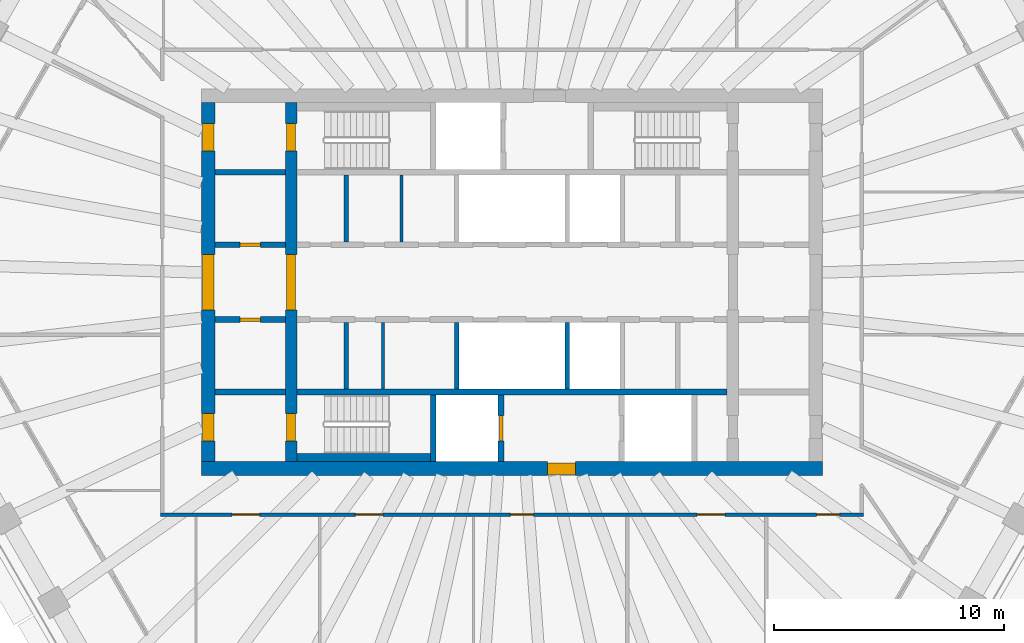
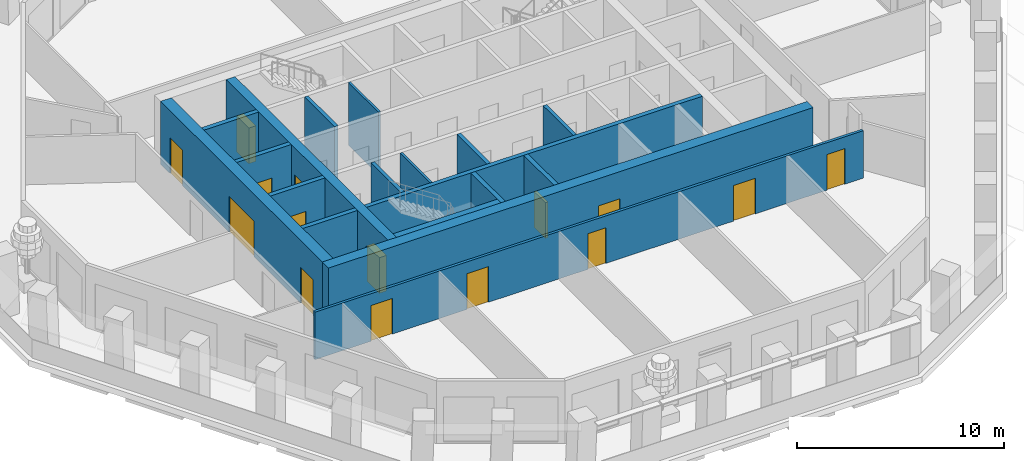
# One storey, part 4 of 12: 18 walls, 15 doors, 15 openings.
"""IFC4 building model written with IfcOpenShell, lengths in metres."""

from ifc_helpers import new_model, si_unit, direction, frame, frame_2d, origin, place, context, subcontext, project, spatial, rectangle, extrude, material, layer, layer_set, type_object, element, fill, save


model = new_model("IFC4")

# Units and contexts
model_context = context("Model", 3, precision=1e-05, world=origin(), true_north=direction((0.0, 1.0)))
body_context = subcontext(model_context, "Body", "Model", "MODEL_VIEW")
ifc_project = project(units=[si_unit("LENGTHUNIT", "METRE"), si_unit("AREAUNIT", "SQUARE_METRE"), si_unit("VOLUMEUNIT", "CUBIC_METRE"), si_unit("PLANEANGLEUNIT", "RADIAN"), si_unit("MASSUNIT", "GRAM", prefix="KILO")], contexts=[model_context])

# Site, building, storey
site_placement = place(None, origin())
site = spatial("IfcSite", under=ifc_project, at=site_placement, CompositionType="ELEMENT")
building_placement = place(site_placement, origin())
building = spatial("IfcBuilding", under=site, at=building_placement, Name="Frailejon Research Tower", CompositionType="ELEMENT")
storey_placement = place(building_placement, frame((0.0, 0.0, 237.39990234375)))
storey = spatial("IfcBuildingStorey", under=building, at=storey_placement, Name="L51", CompositionType="ELEMENT", Elevation=237.39990234375)

# Walls
ifc_material_1 = material(Name="Plasterboard on steel studs", Category="steel")
ifc_layer_1 = layer(ifc_material_1, 0.125)
ifc_layer_set_1 = layer_set([ifc_layer_1], Name="Core partition 125")
wall_type_1 = type_object("IfcWallType", Name="Core partition 125", PredefinedType="PARTITIONING", material=ifc_layer_set_1)
for number, where, z_axis, x_axis, name in (
    (1, (-4.800048828125, 1.75, 0.0), (0.0, 0.0, 1.0), (0.0, 1.0, 0.0), "Core partition"),
    (2, (-5.60009765625, -4.64990234375, 0.0), (0.0, 0.0, 1.0), (0.0, 1.0, 0.0), "Core partition"),
):
    element("IfcWall", number, at=place(storey_placement, frame(where, z_axis=z_axis, x_axis=x_axis)), inside=storey, type_object=wall_type_1, Name=name, PredefinedType="PARTITIONING", context=body_context, shape_type="SweptSolid", body=[
        extrude(rectangle(XDim=2.89990234375, YDim=0.125, at=frame_2d((1.449951171875, 0.0))), origin(), (0.0, 0.0, 1.0), 3.7001953125),
    ])

# Wall, openings, doors
ifc_material_2 = material(Name="Concrete C60/75", Category="concrete")
ifc_layer_2 = layer(ifc_material_2, 0.5)
ifc_layer_set_2 = layer_set([ifc_layer_2], Name="Core shear wall 500 C60/75")
wall_type_2 = type_object("IfcWallType", Name="Core shear wall 500 C60/75", PredefinedType="SHEAR", material=ifc_layer_set_2)
wall_1_placement = place(storey_placement, frame((-9.60009765625, -7.800048828125, 0.0), z_axis=(0.0, 0.0, 1.0), x_axis=(0.0, 1.0, 0.0)))
wall_1 = element("IfcWall", 3, at=wall_1_placement, inside=storey, type_object=wall_type_2, Name="Core shear wall", PredefinedType="SHEAR", context=body_context, shape_type="SweptSolid", body=[
    extrude(rectangle(XDim=15.60009765625, YDim=0.5, at=frame_2d((7.800048828125, 0.0))), origin(), (0.0, 0.0, 1.0), 3.7001953125),
])
opening_1_placement = place(wall_1_placement, frame((6.60009765625, 0.0, 0.0)))
opening_1 = element("IfcOpeningElement", 4, at=opening_1_placement, cuts=wall_1, Name="Opening D2", PredefinedType="OPENING", context=body_context, shape_type="SweptSolid", body=[
    extrude(rectangle(XDim=2.39990234375, YDim=2.10009765625, at=frame_2d((1.199951171875, 1.050048828125))), frame((0.0, 0.260009765625, 0.0), z_axis=(0.0, -1.0, 0.0), x_axis=(1.0, 0.0, 0.0)), (0.0, 0.0, 1.0), 0.52001953125),
])
opening_2_placement = place(wall_1_placement, frame((13.5, 0.0, 0.0)))
opening_2 = element("IfcOpeningElement", 5, at=opening_2_placement, cuts=wall_1, Name="Opening D1", PredefinedType="OPENING", context=body_context, shape_type="SweptSolid", body=[
    extrude(rectangle(XDim=1.199951171875, YDim=2.10009765625, at=frame_2d((0.60009765625, 1.050048828125))), frame((0.0, 0.260009765625, 0.0), z_axis=(0.0, -1.0, 0.0), x_axis=(1.0, 0.0, 0.0)), (0.0, 0.0, 1.0), 0.52001953125),
])
opening_3_placement = place(wall_1_placement, frame((0.89990234375, 0.0, 0.0)))
opening_3 = element("IfcOpeningElement", 6, at=opening_3_placement, cuts=wall_1, Name="Opening D1", PredefinedType="OPENING", context=body_context, shape_type="SweptSolid", body=[
    extrude(rectangle(XDim=1.199951171875, YDim=2.10009765625, at=frame_2d((0.60009765625, 1.050048828125))), frame((0.0, 0.260009765625, 0.0), z_axis=(0.0, -1.0, 0.0), x_axis=(1.0, 0.0, 0.0)), (0.0, 0.0, 1.0), 0.52001953125),
])
ifc_material_3 = material(Name="Steel", Category="steel")
door_type_1 = type_object("IfcDoorType", Name="Lobby double door", OperationType="DOUBLE_DOOR_SINGLE_SWING", PredefinedType="DOOR", material=ifc_material_3)
door_1_placement = place(opening_1_placement, origin())
door_1 = element("IfcDoor", 7, at=door_1_placement, inside=storey, type_object=door_type_1, Name="Lobby door", OperationType="DOUBLE_DOOR_SINGLE_SWING", OverallHeight=2.10009765625, OverallWidth=2.39990234375, PredefinedType="DOOR", context=body_context, shape_type="SweptSolid", body=[
    extrude(rectangle(XDim=2.39990234375, YDim=2.10009765625, at=frame_2d((1.199951171875, 1.050048828125))), frame((0.0, 0.199951171875, 0.0), z_axis=(0.0, -1.0, 0.0), x_axis=(1.0, 0.0, 0.0)), (0.0, 0.0, 1.0), 0.39990234375),
])
fill(opening_1, door_1)
ifc_material_4 = material(Name="Steel", Category="steel")
door_type_2 = type_object("IfcDoorType", Name="Stair door", OperationType="SINGLE_SWING_LEFT", PredefinedType="DOOR", material=ifc_material_4)
door_2_placement = place(opening_2_placement, origin())
door_2 = element("IfcDoor", 8, at=door_2_placement, inside=storey, type_object=door_type_2, Name="Stair door ST1", OperationType="SINGLE_SWING_RIGHT", OverallHeight=2.10009765625, OverallWidth=1.199951171875, PredefinedType="DOOR", context=body_context, shape_type="SweptSolid", body=[
    extrude(rectangle(XDim=1.199951171875, YDim=2.10009765625, at=frame_2d((0.60009765625, 1.050048828125))), frame((0.0, 0.199951171875, 0.0), z_axis=(0.0, -1.0, 0.0), x_axis=(1.0, 0.0, 0.0)), (0.0, 0.0, 1.0), 0.39990234375),
])
fill(opening_2, door_2)
door_3_placement = place(opening_3_placement, origin())
door_3 = element("IfcDoor", 9, at=door_3_placement, inside=storey, type_object=door_type_2, Name="Stair door ST2", OperationType="SINGLE_SWING_RIGHT", OverallHeight=2.10009765625, OverallWidth=1.199951171875, PredefinedType="DOOR", context=body_context, shape_type="SweptSolid", body=[
    extrude(rectangle(XDim=1.199951171875, YDim=2.10009765625, at=frame_2d((0.60009765625, 1.050048828125))), frame((0.0, 0.199951171875, 0.0), z_axis=(0.0, -1.0, 0.0), x_axis=(1.0, 0.0, 0.0)), (0.0, 0.0, 1.0), 0.39990234375),
])
fill(opening_3, door_3)

# Wall, opening, door
ifc_material_5 = material(Name="Concrete C60/75", Category="concrete")
ifc_layer_3 = layer(ifc_material_5, 0.60009765625)
ifc_layer_set_3 = layer_set([ifc_layer_3], Name="Core shear wall 600 C60/75")
wall_type_3 = type_object("IfcWallType", Name="Core shear wall 600 C60/75", PredefinedType="SHEAR", material=ifc_layer_set_3)
wall_2_placement = place(storey_placement, frame((-13.5, -8.10009765625, 0.0), z_axis=(0.0, 0.0, 1.0), x_axis=(1.0, 0.0, 0.0)))
wall_2 = element("IfcWall", 10, at=wall_2_placement, inside=storey, type_object=wall_type_3, Name="Core shear wall", PredefinedType="SHEAR", context=body_context, shape_type="SweptSolid", body=[
    extrude(rectangle(XDim=27.0, YDim=0.60009765625, at=frame_2d((13.5, 0.0))), origin(), (0.0, 0.0, 1.0), 3.7001953125),
])
opening_4_placement = place(wall_2_placement, frame((15.050048828125, 0.0, 0.0)))
opening_4 = element("IfcOpeningElement", 11, at=opening_4_placement, cuts=wall_2, Name="Opening D3", PredefinedType="OPENING", context=body_context, shape_type="SweptSolid", body=[
    extrude(rectangle(XDim=1.199951171875, YDim=2.10009765625, at=frame_2d((0.60009765625, 1.050048828125))), frame((0.0, 0.31005859375, 0.0), z_axis=(0.0, -1.0, 0.0), x_axis=(1.0, 0.0, 0.0)), (0.0, 0.0, 1.0), 0.6201171875),
])
ifc_material_6 = material(Name="Steel", Category="steel")
door_type_3 = type_object("IfcDoorType", Name="Firefighting lobby door", OperationType="SINGLE_SWING_LEFT", PredefinedType="DOOR", material=ifc_material_6)
door_4_placement = place(opening_4_placement, origin())
door_4 = element("IfcDoor", 12, at=door_4_placement, inside=storey, type_object=door_type_3, Name="Firefighting lobby door", OperationType="SINGLE_SWING_RIGHT", OverallHeight=2.10009765625, OverallWidth=1.199951171875, PredefinedType="DOOR", context=body_context, shape_type="SweptSolid", body=[
    extrude(rectangle(XDim=1.199951171875, YDim=2.10009765625, at=frame_2d((0.60009765625, 1.050048828125))), frame((0.0, 0.25, 0.0), z_axis=(0.0, -1.0, 0.0), x_axis=(1.0, 0.0, 0.0)), (0.0, 0.0, 1.0), 0.5),
])
fill(opening_4, door_4)

# Wall, openings, doors
wall_3_placement = place(storey_placement, frame((-13.199951171875, -7.800048828125, 0.0), z_axis=(0.0, 0.0, 1.0), x_axis=(0.0, 1.0, 0.0)))
wall_3 = element("IfcWall", 13, at=wall_3_placement, inside=storey, type_object=wall_type_3, Name="Core shear wall", PredefinedType="SHEAR", context=body_context, shape_type="SweptSolid", body=[
    extrude(rectangle(XDim=15.60009765625, YDim=0.60009765625, at=frame_2d((7.800048828125, 0.0))), origin(), (0.0, 0.0, 1.0), 3.7001953125),
])
opening_5_placement = place(wall_3_placement, frame((6.60009765625, 0.0, 0.0)))
opening_5 = element("IfcOpeningElement", 14, at=opening_5_placement, cuts=wall_3, Name="Opening D2", PredefinedType="OPENING", context=body_context, shape_type="SweptSolid", body=[
    extrude(rectangle(XDim=2.39990234375, YDim=2.10009765625, at=frame_2d((1.199951171875, 1.050048828125))), frame((0.0, 0.31005859375, 0.0), z_axis=(0.0, -1.0, 0.0), x_axis=(1.0, 0.0, 0.0)), (0.0, 0.0, 1.0), 0.6201171875),
])
opening_6_placement = place(wall_3_placement, frame((13.5, 0.0, 0.0)))
opening_6 = element("IfcOpeningElement", 15, at=opening_6_placement, cuts=wall_3, Name="Opening D7", PredefinedType="OPENING", context=body_context, shape_type="SweptSolid", body=[
    extrude(rectangle(XDim=1.199951171875, YDim=2.10009765625, at=frame_2d((0.60009765625, 1.050048828125))), frame((0.0, 0.31005859375, 0.0), z_axis=(0.0, -1.0, 0.0), x_axis=(1.0, 0.0, 0.0)), (0.0, 0.0, 1.0), 0.6201171875),
])
opening_7_placement = place(wall_3_placement, frame((0.89990234375, 0.0, 0.0)))
opening_7 = element("IfcOpeningElement", 16, at=opening_7_placement, cuts=wall_3, Name="Opening D7", PredefinedType="OPENING", context=body_context, shape_type="SweptSolid", body=[
    extrude(rectangle(XDim=1.199951171875, YDim=2.10009765625, at=frame_2d((0.60009765625, 1.050048828125))), frame((0.0, 0.31005859375, 0.0), z_axis=(0.0, -1.0, 0.0), x_axis=(1.0, 0.0, 0.0)), (0.0, 0.0, 1.0), 0.6201171875),
])
door_5_placement = place(opening_5_placement, origin())
door_5 = element("IfcDoor", 17, at=door_5_placement, inside=storey, type_object=door_type_1, Name="Lobby door", OperationType="DOUBLE_DOOR_SINGLE_SWING", OverallHeight=2.10009765625, OverallWidth=2.39990234375, PredefinedType="DOOR", context=body_context, shape_type="SweptSolid", body=[
    extrude(rectangle(XDim=2.39990234375, YDim=2.10009765625, at=frame_2d((1.199951171875, 1.050048828125))), frame((0.0, 0.25, 0.0), z_axis=(0.0, -1.0, 0.0), x_axis=(1.0, 0.0, 0.0)), (0.0, 0.0, 1.0), 0.5),
])
fill(opening_5, door_5)
ifc_material_7 = material(Name="Steel", Category="steel")
door_type_4 = type_object("IfcDoorType", Name="Stair exit door", OperationType="SINGLE_SWING_LEFT", PredefinedType="DOOR", material=ifc_material_7)
door_6_placement = place(opening_6_placement, origin())
door_6 = element("IfcDoor", 18, at=door_6_placement, inside=storey, type_object=door_type_4, Name="Stair exit door ST1", OperationType="SINGLE_SWING_LEFT", OverallHeight=2.10009765625, OverallWidth=1.199951171875, PredefinedType="DOOR", context=body_context, shape_type="SweptSolid", body=[
    extrude(rectangle(XDim=1.199951171875, YDim=2.10009765625, at=frame_2d((0.60009765625, 1.050048828125))), frame((0.0, 0.25, 0.0), z_axis=(0.0, -1.0, 0.0), x_axis=(1.0, 0.0, 0.0)), (0.0, 0.0, 1.0), 0.5),
])
fill(opening_6, door_6)
door_7_placement = place(opening_7_placement, origin())
door_7 = element("IfcDoor", 19, at=door_7_placement, inside=storey, type_object=door_type_4, Name="Stair exit door ST2", OperationType="SINGLE_SWING_LEFT", OverallHeight=2.10009765625, OverallWidth=1.199951171875, PredefinedType="DOOR", context=body_context, shape_type="SweptSolid", body=[
    extrude(rectangle(XDim=1.199951171875, YDim=2.10009765625, at=frame_2d((0.60009765625, 1.050048828125))), frame((0.0, 0.25, 0.0), z_axis=(0.0, -1.0, 0.0), x_axis=(1.0, 0.0, 0.0)), (0.0, 0.0, 1.0), 0.5),
])
fill(opening_7, door_7)

ifc_material_8 = material(Name="Gypsum board and masonry partition", Category="masonry")
ifc_layer_4 = layer(ifc_material_8, 0.14990234375)
ifc_layer_set_4 = layer_set([ifc_layer_4], Name="Corridor wall EI 60, gypsum on steel studs 150")
wall_type_4 = type_object("IfcWallType", Name="Corridor wall EI 60, gypsum on steel studs 150", PredefinedType="PARTITIONING", material=ifc_layer_set_4)
wall_4_placement = place(storey_placement, frame((-15.27490234375, -10.10009765625, 0.0), z_axis=(0.0, 0.0, 1.0), x_axis=(1.0, 0.0, 0.0)))
wall_4 = element("IfcWall", 20, at=wall_4_placement, inside=storey, type_object=wall_type_4, Name="T:IW:L51:008", PredefinedType="PARTITIONING", context=body_context, shape_type="SweptSolid", body=[
    extrude(rectangle(XDim=30.5498046875, YDim=0.14990234375, at=frame_2d((15.27490234375, 0.0))), origin(), (0.0, 0.0, 1.0), 2.800048828125),
])
opening_8_placement = place(wall_4_placement, frame((3.1083984375, 0.0, 0.0)))
opening_8 = element("IfcOpeningElement", 21, at=opening_8_placement, cuts=wall_4, Name="Opening D2015", PredefinedType="OPENING", context=body_context, shape_type="SweptSolid", body=[
    extrude(rectangle(XDim=1.199951171875, YDim=2.10009765625, at=frame_2d((0.60009765625, 1.050048828125))), frame((0.0, 0.0849609375, 0.0), z_axis=(0.0, -1.0, 0.0), x_axis=(1.0, 0.0, 0.0)), (0.0, 0.0, 1.0), 0.169921875),
])
opening_9_placement = place(wall_4_placement, frame((8.463623046875, 0.0, 0.0)))
opening_9 = element("IfcOpeningElement", 22, at=opening_9_placement, cuts=wall_4, Name="Opening D2016", PredefinedType="OPENING", context=body_context, shape_type="SweptSolid", body=[
    extrude(rectangle(XDim=1.199951171875, YDim=2.10009765625, at=frame_2d((0.60009765625, 1.050048828125))), frame((0.0, 0.0849609375, 0.0), z_axis=(0.0, -1.0, 0.0), x_axis=(1.0, 0.0, 0.0)), (0.0, 0.0, 1.0), 0.169921875),
])
opening_10_placement = place(wall_4_placement, frame((15.199951171875, 0.0, 0.0)))
opening_10 = element("IfcOpeningElement", 23, at=opening_10_placement, cuts=wall_4, Name="Opening D2017", PredefinedType="OPENING", context=body_context, shape_type="SweptSolid", body=[
    extrude(rectangle(XDim=1.0, YDim=2.10009765625, at=frame_2d((0.5, 1.050048828125))), frame((0.0, 0.0849609375, 0.0), z_axis=(0.0, -1.0, 0.0), x_axis=(1.0, 0.0, 0.0)), (0.0, 0.0, 1.0), 0.169921875),
])
opening_11_placement = place(wall_4_placement, frame((23.32470703125, 0.0, 0.0)))
opening_11 = element("IfcOpeningElement", 24, at=opening_11_placement, cuts=wall_4, Name="Opening D2018", PredefinedType="OPENING", context=body_context, shape_type="SweptSolid", body=[
    extrude(rectangle(XDim=1.199951171875, YDim=2.10009765625, at=frame_2d((0.60009765625, 1.050048828125))), frame((0.0, 0.0849609375, 0.0), z_axis=(0.0, -1.0, 0.0), x_axis=(1.0, 0.0, 0.0)), (0.0, 0.0, 1.0), 0.169921875),
])
opening_12_placement = place(wall_4_placement, frame((28.511474609375, 0.0, 0.0)))
opening_12 = element("IfcOpeningElement", 25, at=opening_12_placement, cuts=wall_4, Name="Opening D2019", PredefinedType="OPENING", context=body_context, shape_type="SweptSolid", body=[
    extrude(rectangle(XDim=1.0, YDim=2.10009765625, at=frame_2d((0.5, 1.050048828125))), frame((0.0, 0.0849609375, 0.0), z_axis=(0.0, -1.0, 0.0), x_axis=(1.0, 0.0, 0.0)), (0.0, 0.0, 1.0), 0.169921875),
])
ifc_material_9 = material(Name="Timber door leaf", Category="wood")
door_type_5 = type_object("IfcDoorType", Name="Door laboratory, timber, vision panel 1200", OperationType="NOTDEFINED", PredefinedType="DOOR", material=ifc_material_9)
door_8_placement = place(opening_11_placement, origin())
door_8 = element("IfcDoor", 26, at=door_8_placement, inside=storey, type_object=door_type_5, Name="D2018", OperationType="DOUBLE_DOOR_SINGLE_SWING", OverallHeight=2.10009765625, OverallWidth=1.199951171875, PredefinedType="DOOR", context=body_context, shape_type="SweptSolid", body=[
    extrude(rectangle(XDim=1.199951171875, YDim=2.10009765625, at=frame_2d((0.60009765625, 1.050048828125))), frame((0.0, 0.02490234375, 0.0), z_axis=(0.0, -1.0, 0.0), x_axis=(1.0, 0.0, 0.0)), (0.0, 0.0, 1.0), 0.050048828125),
])
fill(opening_11, door_8)
ifc_material_10 = material(Name="Timber door leaf", Category="wood")
door_type_6 = type_object("IfcDoorType", Name="Door single leaf, timber, steel frame 1000", OperationType="NOTDEFINED", PredefinedType="DOOR", material=ifc_material_10)
door_9_placement = place(opening_10_placement, origin())
door_9 = element("IfcDoor", 27, at=door_9_placement, inside=storey, type_object=door_type_6, Name="D2017", OperationType="SINGLE_SWING_RIGHT", OverallHeight=2.10009765625, OverallWidth=1.0, PredefinedType="DOOR", context=body_context, shape_type="SweptSolid", body=[
    extrude(rectangle(XDim=1.0, YDim=2.10009765625, at=frame_2d((0.5, 1.050048828125))), frame((0.0, 0.02490234375, 0.0), z_axis=(0.0, -1.0, 0.0), x_axis=(1.0, 0.0, 0.0)), (0.0, 0.0, 1.0), 0.050048828125),
])
fill(opening_10, door_9)
door_10_placement = place(opening_12_placement, origin())
door_10 = element("IfcDoor", 28, at=door_10_placement, inside=storey, type_object=door_type_6, Name="D2019", OperationType="SINGLE_SWING_LEFT", OverallHeight=2.10009765625, OverallWidth=1.0, PredefinedType="DOOR", context=body_context, shape_type="SweptSolid", body=[
    extrude(rectangle(XDim=1.0, YDim=2.10009765625, at=frame_2d((0.5, 1.050048828125))), frame((0.0, 0.02490234375, 0.0), z_axis=(0.0, -1.0, 0.0), x_axis=(1.0, 0.0, 0.0)), (0.0, 0.0, 1.0), 0.050048828125),
])
fill(opening_12, door_10)
ifc_material_11 = material(Name="Timber door leaf", Category="wood")
door_type_7 = type_object("IfcDoorType", Name="Door single leaf, timber, steel frame 1200", OperationType="NOTDEFINED", PredefinedType="DOOR", material=ifc_material_11)
door_11_placement = place(opening_8_placement, origin())
door_11 = element("IfcDoor", 29, at=door_11_placement, inside=storey, type_object=door_type_7, Name="D2015", OperationType="DOUBLE_DOOR_SINGLE_SWING", OverallHeight=2.10009765625, OverallWidth=1.199951171875, PredefinedType="DOOR", context=body_context, shape_type="SweptSolid", body=[
    extrude(rectangle(XDim=1.199951171875, YDim=2.10009765625, at=frame_2d((0.60009765625, 1.050048828125))), frame((0.0, 0.02490234375, 0.0), z_axis=(0.0, -1.0, 0.0), x_axis=(1.0, 0.0, 0.0)), (0.0, 0.0, 1.0), 0.050048828125),
])
fill(opening_8, door_11)
door_12_placement = place(opening_9_placement, origin())
door_12 = element("IfcDoor", 30, at=door_12_placement, inside=storey, type_object=door_type_7, Name="D2016", OperationType="DOUBLE_DOOR_SINGLE_SWING", OverallHeight=2.10009765625, OverallWidth=1.199951171875, PredefinedType="DOOR", context=body_context, shape_type="SweptSolid", body=[
    extrude(rectangle(XDim=1.199951171875, YDim=2.10009765625, at=frame_2d((0.60009765625, 1.050048828125))), frame((0.0, 0.02490234375, 0.0), z_axis=(0.0, -1.0, 0.0), x_axis=(1.0, 0.0, 0.0)), (0.0, 0.0, 1.0), 0.050048828125),
])
fill(opening_9, door_12)

# Walls
ifc_material_12 = material(Name="Concrete C60/75", Category="concrete")
ifc_layer_5 = layer(ifc_material_12, 0.199951171875)
ifc_layer_set_5 = layer_set([ifc_layer_5], Name="Shaft wall 200 C60/75")
wall_type_5 = type_object("IfcWallType", Name="Shaft wall 200 C60/75", PredefinedType="SOLIDWALL", material=ifc_layer_set_5)
for number, where, z_axis, x_axis, name in (
    (31, (-7.199951171875, 1.75, 0.0), (0.0, 0.0, 1.0), (0.0, 1.0, 0.0), "Shaft wall"),
    (32, (-7.199951171875, -4.64990234375, 0.0), (0.0, 0.0, 1.0), (0.0, 1.0, 0.0), "Shaft wall"),
    (33, (-2.39990234375, -4.64990234375, 0.0), (0.0, 0.0, 1.0), (0.0, 1.0, 0.0), "Shaft wall"),
    (34, (2.39990234375, -4.64990234375, 0.0), (0.0, 0.0, 1.0), (0.0, 1.0, 0.0), "Shaft wall"),
):
    element("IfcWall", number, at=place(storey_placement, frame(where, z_axis=z_axis, x_axis=x_axis)), inside=storey, type_object=wall_type_5, Name=name, PredefinedType="SOLIDWALL", context=body_context, shape_type="SweptSolid", body=[
        extrude(rectangle(XDim=2.89990234375, YDim=0.199951171875, at=frame_2d((1.449951171875, 0.0))), origin(), (0.0, 0.0, 1.0), 3.7001953125),
    ])

# Wall, opening, door
ifc_material_13 = material(Name="Concrete C60/75", Category="concrete")
ifc_layer_6 = layer(ifc_material_13, 0.25)
ifc_layer_set_6 = layer_set([ifc_layer_6], Name="Shaft wall 250 C60/75")
wall_type_6 = type_object("IfcWallType", Name="Shaft wall 250 C60/75", PredefinedType="SOLIDWALL", material=ifc_layer_set_6)
wall_5_placement = place(storey_placement, frame((-12.89990234375, 1.625, 0.0), z_axis=(0.0, 0.0, 1.0), x_axis=(1.0, 0.0, 0.0)))
wall_5 = element("IfcWall", 35, at=wall_5_placement, inside=storey, type_object=wall_type_6, Name="Shaft wall", PredefinedType="SOLIDWALL", context=body_context, shape_type="SweptSolid", body=[
    extrude(rectangle(XDim=3.0498046875, YDim=0.25, at=frame_2d((1.52490234375, 0.0))), origin(), (0.0, 0.0, 1.0), 3.7001953125),
])
opening_13_placement = place(wall_5_placement, frame((1.074951171875, 0.0, 0.0)))
opening_13 = element("IfcOpeningElement", 36, at=opening_13_placement, cuts=wall_5, Name="Opening D8", PredefinedType="OPENING", context=body_context, shape_type="SweptSolid", body=[
    extrude(rectangle(XDim=0.89990234375, YDim=2.10009765625, at=frame_2d((0.449951171875, 1.050048828125))), frame((0.0, 0.135009765625, 0.0), z_axis=(0.0, -1.0, 0.0), x_axis=(1.0, 0.0, 0.0)), (0.0, 0.0, 1.0), 0.27001953125),
])
ifc_material_14 = material(Name="Steel", Category="steel")
door_type_8 = type_object("IfcDoorType", Name="Core room door", OperationType="SINGLE_SWING_LEFT", PredefinedType="DOOR", material=ifc_material_14)
door_13_placement = place(opening_13_placement, origin())
door_13 = element("IfcDoor", 37, at=door_13_placement, inside=storey, type_object=door_type_8, Name="Room door", OperationType="SINGLE_SWING_RIGHT", OverallHeight=2.10009765625, OverallWidth=0.89990234375, PredefinedType="DOOR", context=body_context, shape_type="SweptSolid", body=[
    extrude(rectangle(XDim=0.89990234375, YDim=2.10009765625, at=frame_2d((0.449951171875, 1.050048828125))), frame((0.0, 0.074951171875, 0.0), z_axis=(0.0, -1.0, 0.0), x_axis=(1.0, 0.0, 0.0)), (0.0, 0.0, 1.0), 0.14990234375),
])
fill(opening_13, door_13)

# Wall
wall_6_placement = place(storey_placement, frame((-12.89990234375, 4.77490234375, 0.0), z_axis=(0.0, 0.0, 1.0), x_axis=(1.0, 0.0, 0.0)))
element("IfcWall", 38, at=wall_6_placement, inside=storey, type_object=wall_type_6, Name="Shaft wall", PredefinedType="SOLIDWALL", context=body_context, shape_type="SweptSolid", body=[
    extrude(rectangle(XDim=3.0498046875, YDim=0.25, at=frame_2d((1.52490234375, 0.0))), origin(), (0.0, 0.0, 1.0), 3.7001953125),
])

# Wall, opening, door
wall_7_placement = place(storey_placement, frame((-12.89990234375, -1.625, 0.0), z_axis=(0.0, 0.0, 1.0), x_axis=(1.0, 0.0, 0.0)))
wall_7 = element("IfcWall", 39, at=wall_7_placement, inside=storey, type_object=wall_type_6, Name="Shaft wall", PredefinedType="SOLIDWALL", context=body_context, shape_type="SweptSolid", body=[
    extrude(rectangle(XDim=3.0498046875, YDim=0.25, at=frame_2d((1.52490234375, 0.0))), origin(), (0.0, 0.0, 1.0), 3.7001953125),
])
opening_14_placement = place(wall_7_placement, frame((1.074951171875, 0.0, 0.0)))
opening_14 = element("IfcOpeningElement", 40, at=opening_14_placement, cuts=wall_7, Name="Opening D8", PredefinedType="OPENING", context=body_context, shape_type="SweptSolid", body=[
    extrude(rectangle(XDim=0.89990234375, YDim=2.10009765625, at=frame_2d((0.449951171875, 1.050048828125))), frame((0.0, 0.135009765625, 0.0), z_axis=(0.0, -1.0, 0.0), x_axis=(1.0, 0.0, 0.0)), (0.0, 0.0, 1.0), 0.27001953125),
])
door_14_placement = place(opening_14_placement, origin())
door_14 = element("IfcDoor", 41, at=door_14_placement, inside=storey, type_object=door_type_8, Name="Room door", OperationType="SINGLE_SWING_LEFT", OverallHeight=2.10009765625, OverallWidth=0.89990234375, PredefinedType="DOOR", context=body_context, shape_type="SweptSolid", body=[
    extrude(rectangle(XDim=0.89990234375, YDim=2.10009765625, at=frame_2d((0.449951171875, 1.050048828125))), frame((0.0, 0.074951171875, 0.0), z_axis=(0.0, -1.0, 0.0), x_axis=(1.0, 0.0, 0.0)), (0.0, 0.0, 1.0), 0.14990234375),
])
fill(opening_14, door_14)

# Walls
wall_8_placement = place(storey_placement, frame((-12.89990234375, -4.77490234375, 0.0), z_axis=(0.0, 0.0, 1.0), x_axis=(1.0, 0.0, 0.0)))
element("IfcWall", 42, at=wall_8_placement, inside=storey, type_object=wall_type_6, Name="Shaft wall", PredefinedType="SOLIDWALL", context=body_context, shape_type="SweptSolid", body=[
    extrude(rectangle(XDim=3.0498046875, YDim=0.25, at=frame_2d((1.52490234375, 0.0))), origin(), (0.0, 0.0, 1.0), 3.7001953125),
])
wall_9_placement = place(storey_placement, frame((-9.35009765625, -4.77490234375, 0.0), z_axis=(0.0, 0.0, 1.0), x_axis=(1.0, 0.0, 0.0)))
element("IfcWall", 43, at=wall_9_placement, inside=storey, type_object=wall_type_6, Name="Shaft wall", PredefinedType="SOLIDWALL", context=body_context, shape_type="SweptSolid", body=[
    extrude(rectangle(XDim=18.7001953125, YDim=0.25, at=frame_2d((9.35009765625, 0.0))), origin(), (0.0, 0.0, 1.0), 3.7001953125),
])
wall_10_placement = place(storey_placement, frame((-3.425048828125, -7.800048828125, 0.0), z_axis=(0.0, 0.0, 1.0), x_axis=(0.0, 1.0, 0.0)))
element("IfcWall", 44, at=wall_10_placement, inside=storey, type_object=wall_type_6, Name="Shaft wall", PredefinedType="SOLIDWALL", context=body_context, shape_type="SweptSolid", body=[
    extrude(rectangle(XDim=2.900146484375, YDim=0.25, at=frame_2d((1.4501953125, 0.0))), origin(), (0.0, 0.0, 1.0), 3.7001953125),
])

# Wall, opening, door
wall_11_placement = place(storey_placement, frame((-0.47509765625, -7.800048828125, 0.0), z_axis=(0.0, 0.0, 1.0), x_axis=(0.0, 1.0, 0.0)))
wall_11 = element("IfcWall", 45, at=wall_11_placement, inside=storey, type_object=wall_type_6, Name="Shaft wall", PredefinedType="SOLIDWALL", context=body_context, shape_type="SweptSolid", body=[
    extrude(rectangle(XDim=2.900146484375, YDim=0.25, at=frame_2d((1.4501953125, 0.0))), origin(), (0.0, 0.0, 1.0), 3.7001953125),
])
opening_15_placement = place(wall_11_placement, frame((0.89990234375, 0.0, 0.0)))
opening_15 = element("IfcOpeningElement", 46, at=opening_15_placement, cuts=wall_11, Name="Opening LD", PredefinedType="OPENING", context=body_context, shape_type="SweptSolid", body=[
    extrude(rectangle(XDim=1.10009765625, YDim=2.10009765625, at=frame_2d((0.550048828125, 1.050048828125))), frame((0.0, 0.135009765625, 0.0), z_axis=(0.0, -1.0, 0.0), x_axis=(1.0, 0.0, 0.0)), (0.0, 0.0, 1.0), 0.27001953125),
])
ifc_material_15 = material(Name="Steel", Category="steel")
door_type_9 = type_object("IfcDoorType", Name="Lift landing door", OperationType="DOUBLE_DOOR_SLIDING", PredefinedType="DOOR", material=ifc_material_15)
door_15_placement = place(opening_15_placement, origin())
door_15 = element("IfcDoor", 47, at=door_15_placement, inside=storey, type_object=door_type_9, Name="Lift landing door", OperationType="DOUBLE_DOOR_SLIDING", OverallHeight=2.10009765625, OverallWidth=1.10009765625, PredefinedType="DOOR", context=body_context, shape_type="SweptSolid", body=[
    extrude(rectangle(XDim=1.10009765625, YDim=2.10009765625, at=frame_2d((0.550048828125, 1.050048828125))), frame((0.0, 0.074951171875, 0.0), z_axis=(0.0, -1.0, 0.0), x_axis=(1.0, 0.0, 0.0)), (0.0, 0.0, 1.0), 0.14990234375),
])
fill(opening_15, door_15)

# Wall
ifc_material_16 = material(Name="Concrete C60/75", Category="concrete")
ifc_layer_7 = layer(ifc_material_16, 0.35009765625)
ifc_layer_set_7 = layer_set([ifc_layer_7], Name="Shaft wall 350 C60/75")
wall_type_7 = type_object("IfcWallType", Name="Shaft wall 350 C60/75", PredefinedType="SOLIDWALL", material=ifc_layer_set_7)
wall_12_placement = place(storey_placement, frame((-9.35009765625, -7.625, 0.0), z_axis=(0.0, 0.0, 1.0), x_axis=(1.0, 0.0, 0.0)))
element("IfcWall", 48, at=wall_12_placement, inside=storey, type_object=wall_type_7, Name="Shaft wall", PredefinedType="SOLIDWALL", context=body_context, shape_type="SweptSolid", body=[
    extrude(rectangle(XDim=5.800048828125, YDim=0.35009765625, at=frame_2d((2.89990234375, 0.0))), origin(), (0.0, 0.0, 1.0), 3.7001953125),
])

save(model, "model.ifc")
